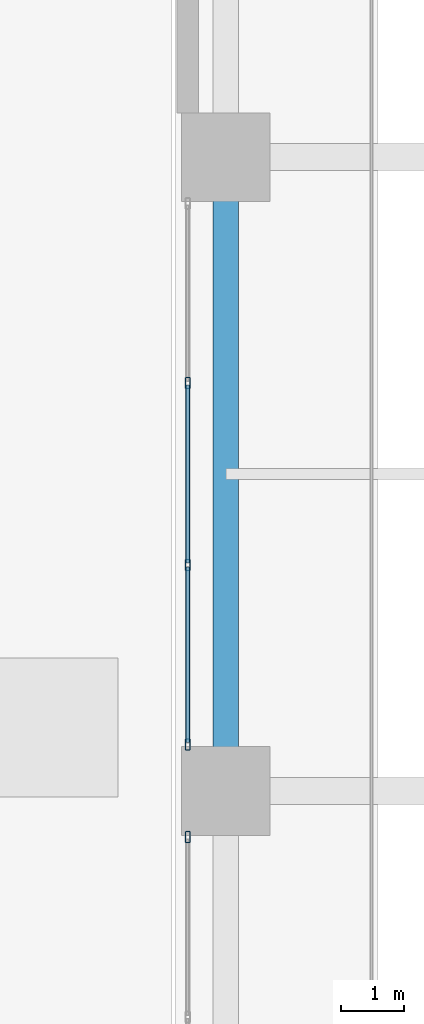
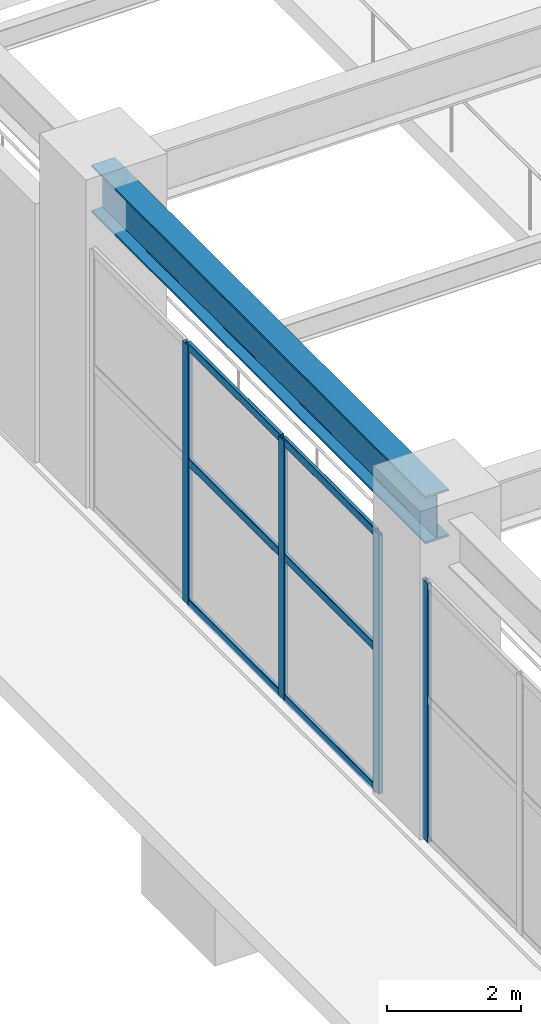
# One storey, part 9 of 31: 10 members, 1 beam, 2 elements without a shape of their own.
"""IFC4 building model written with IfcOpenShell, lengths in metres."""

from ifc_helpers import new_model, si_unit, direction, frame, origin, origin_2d, place, context, subcontext, project, spatial, hollow_rectangle, i_section, extrude, material, layer, layer_set, material_profile, profile_set, type_object, element, aggregate, save


model = new_model("IFC4")

# Units and contexts
model_context = context("Model", 3, precision=1e-05, world=origin(), true_north=direction((0.0, 1.0)))
body_context = subcontext(model_context, "Body", "Model", "MODEL_VIEW")
ifc_project = project(units=[si_unit("LENGTHUNIT", "METRE"), si_unit("AREAUNIT", "SQUARE_METRE"), si_unit("VOLUMEUNIT", "CUBIC_METRE"), si_unit("PLANEANGLEUNIT", "RADIAN"), si_unit("MASSUNIT", "GRAM", prefix="KILO")], contexts=[model_context])

# Site, building, storey
site_placement = place(None, origin())
site = spatial("IfcSite", under=ifc_project, at=site_placement, CompositionType="ELEMENT")
building_placement = place(site_placement, origin())
building = spatial("IfcBuilding", under=site, at=building_placement, Name="Soratama Intermodal Tower", CompositionType="ELEMENT")
storey_placement = place(building_placement, origin())
storey = spatial("IfcBuildingStorey", under=building, at=storey_placement, Name="L00", CompositionType="ELEMENT", Elevation=0.0)

# Beam
ifc_material_1 = material(Name="Structural steel ASTM A992 Grade 50", Category="steel")
ifc_material_profile_1 = material_profile(ifc_material_1, i_section(OverallWidth=0.403076171875, OverallDepth=0.867919921875, WebThickness=0.02099609375, FlangeThickness=0.03564453125, FilletRadius=0.01806640625, at=origin_2d()), Name="W33X241")
ifc_profile_set_1 = profile_set([ifc_material_profile_1], Name="Structural steel ASTM A992 Grade 50")
beam_type = type_object("IfcBeamType", Name="BM-POD-EXT-W33", PredefinedType="BEAM", material=ifc_profile_set_1)
beam_placement = place(storey_placement, frame((0.800048828125, 25.0, 5.24609375), z_axis=(0.0, 1.0, 0.0), x_axis=(-1.0, 0.0, 0.0)))
element("IfcBeam", 1, at=beam_placement, inside=storey, type_object=beam_type, Name="L00 Station Girder Y1-3", PredefinedType="BEAM", context=body_context, shape_type="SweptSolid", body=[
    extrude(i_section(OverallWidth=0.403076171875, OverallDepth=0.867919921875, WebThickness=0.02099609375, FlangeThickness=0.03564453125, FilletRadius=0.01806640625, at=origin_2d()), origin(), (0.0, 0.0, 1.0), 10.0),
])

# Curtain wall, member
ifc_material_2 = material(Name="Double-glazed aluminium curtain wall", Category="aluminium")
ifc_layer = layer(ifc_material_2, 0.159912109375)
ifc_layer_set = layer_set([ifc_layer], Name="Double-glazed aluminium curtain wall")
curtain_wall_type = type_object("IfcCurtainWallType", Name="CW-SYS-1", PredefinedType="NOTDEFINED", material=ifc_layer_set)
curtain_wall_1_placement = place(storey_placement, origin())
curtain_wall_1 = element("IfcCurtainWall", 2, at=curtain_wall_1_placement, inside=storey, type_object=curtain_wall_type, Name="L00 Station Curtain Wall W1", PredefinedType="NOTDEFINED")
ifc_material_3 = material(Name="Anodised aluminium AA 6063-T6", Category="aluminium")
ifc_material_profile_2 = material_profile(ifc_material_3, hollow_rectangle(XDim=0.074951171875, YDim=0.179931640625, WallThickness=0.006103515625, InnerFilletRadius=0.006103515625, OuterFilletRadius=0.011962890625, at=origin_2d()), Name="CWM180X75X6")
ifc_profile_set_2 = profile_set([ifc_material_profile_2], Name="Anodised aluminium AA 6063-T6")
member_type_1 = type_object("IfcMemberType", Name="MT-CWM-1", PredefinedType="MULLION", material=ifc_profile_set_2)
member_1_placement = place(storey_placement, frame((0.199951171875, 24.27001953125, 0.0), z_axis=(0.0, 0.0, 1.0), x_axis=(-1.0, 0.0, 0.0)))
member_1 = element("IfcMember", 3, at=member_1_placement, type_object=member_type_1, Name="CW-1 mullion 4", PredefinedType="MULLION", context=body_context, shape_type="SweptSolid", body=[
    extrude(hollow_rectangle(XDim=0.074951171875, YDim=0.179931640625, WallThickness=0.006103515625, InnerFilletRadius=0.006103515625, OuterFilletRadius=0.011962890625, at=origin_2d()), origin(), (0.0, 0.0, 1.0), 4.736083984375),
])
aggregate(curtain_wall_1, [member_1])

# Curtain wall, members
curtain_wall_2_placement = place(storey_placement, origin())
curtain_wall_2 = element("IfcCurtainWall", 4, at=curtain_wall_2_placement, inside=storey, type_object=curtain_wall_type, Name="L00 Station Curtain Wall W2", PredefinedType="NOTDEFINED")
member_2_placement = place(storey_placement, frame((0.199951171875, 25.72998046875, 0.0), z_axis=(0.0, 0.0, 1.0), x_axis=(-1.0, 0.0, 0.0)))
member_2 = element("IfcMember", 5, at=member_2_placement, type_object=member_type_1, Name="CW-1 mullion 1", PredefinedType="MULLION", context=body_context, shape_type="SweptSolid", body=[
    extrude(hollow_rectangle(XDim=0.074951171875, YDim=0.179931640625, WallThickness=0.006103515625, InnerFilletRadius=0.006103515625, OuterFilletRadius=0.011962890625, at=origin_2d()), origin(), (0.0, 0.0, 1.0), 4.736083984375),
])
member_3_placement = place(storey_placement, frame((0.199951171875, 28.566650390625, 0.0), z_axis=(0.0, 0.0, 1.0), x_axis=(-1.0, 0.0, 0.0)))
member_3 = element("IfcMember", 6, at=member_3_placement, type_object=member_type_1, Name="CW-1 mullion 2", PredefinedType="MULLION", context=body_context, shape_type="SweptSolid", body=[
    extrude(hollow_rectangle(XDim=0.074951171875, YDim=0.179931640625, WallThickness=0.006103515625, InnerFilletRadius=0.006103515625, OuterFilletRadius=0.011962890625, at=origin_2d()), origin(), (0.0, 0.0, 1.0), 4.736083984375),
])
member_4_placement = place(storey_placement, frame((0.199951171875, 31.433349609375, 0.0), z_axis=(0.0, 0.0, 1.0), x_axis=(-1.0, 0.0, 0.0)))
member_4 = element("IfcMember", 7, at=member_4_placement, type_object=member_type_1, Name="CW-1 mullion 3", PredefinedType="MULLION", context=body_context, shape_type="SweptSolid", body=[
    extrude(hollow_rectangle(XDim=0.074951171875, YDim=0.179931640625, WallThickness=0.006103515625, InnerFilletRadius=0.006103515625, OuterFilletRadius=0.011962890625, at=origin_2d()), origin(), (0.0, 0.0, 1.0), 4.736083984375),
])
ifc_material_4 = material(Name="Anodised aluminium AA 6063-T6", Category="aluminium")
ifc_material_profile_3 = material_profile(ifc_material_4, hollow_rectangle(XDim=0.06494140625, YDim=0.14990234375, WallThickness=0.0048828125, InnerFilletRadius=0.0048828125, OuterFilletRadius=0.010009765625, at=origin_2d()), Name="CWT150X65X5")
ifc_profile_set_3 = profile_set([ifc_material_profile_3], Name="Anodised aluminium AA 6063-T6")
member_type_2 = type_object("IfcMemberType", Name="TT-CWT-1", PredefinedType="USERDEFINED", material=ifc_profile_set_3)
member_5_placement = place(storey_placement, frame((0.199951171875, 25.760009765625, 0.030029296875), z_axis=(0.0, 1.0, 0.0), x_axis=(-1.0, 0.0, 0.0)))
member_5 = element("IfcMember", 8, at=member_5_placement, type_object=member_type_2, Name="CW-1 transom 1.1", ObjectType="TRANSOM", PredefinedType="USERDEFINED", context=body_context, shape_type="SweptSolid", body=[
    extrude(hollow_rectangle(XDim=0.06494140625, YDim=0.14990234375, WallThickness=0.0048828125, InnerFilletRadius=0.0048828125, OuterFilletRadius=0.010009765625, at=origin_2d()), origin(), (0.0, 0.0, 1.0), 2.776611328125),
])
member_6_placement = place(storey_placement, frame((0.199951171875, 25.760009765625, 2.60009765625), z_axis=(0.0, 1.0, 0.0), x_axis=(-1.0, 0.0, 0.0)))
member_6 = element("IfcMember", 9, at=member_6_placement, type_object=member_type_2, Name="CW-1 transom 1.2", ObjectType="TRANSOM", PredefinedType="USERDEFINED", context=body_context, shape_type="SweptSolid", body=[
    extrude(hollow_rectangle(XDim=0.06494140625, YDim=0.14990234375, WallThickness=0.0048828125, InnerFilletRadius=0.0048828125, OuterFilletRadius=0.010009765625, at=origin_2d()), origin(), (0.0, 0.0, 1.0), 2.776611328125),
])
member_7_placement = place(storey_placement, frame((0.199951171875, 25.760009765625, 4.7060546875), z_axis=(0.0, 1.0, 0.0), x_axis=(-1.0, 0.0, 0.0)))
member_7 = element("IfcMember", 10, at=member_7_placement, type_object=member_type_2, Name="CW-1 transom 1.3", ObjectType="TRANSOM", PredefinedType="USERDEFINED", context=body_context, shape_type="SweptSolid", body=[
    extrude(hollow_rectangle(XDim=0.06494140625, YDim=0.14990234375, WallThickness=0.0048828125, InnerFilletRadius=0.0048828125, OuterFilletRadius=0.010009765625, at=origin_2d()), origin(), (0.0, 0.0, 1.0), 2.776611328125),
])
member_8_placement = place(storey_placement, frame((0.199951171875, 28.5966796875, 0.030029296875), z_axis=(0.0, 1.0, 0.0), x_axis=(-1.0, 0.0, 0.0)))
member_8 = element("IfcMember", 11, at=member_8_placement, type_object=member_type_2, Name="CW-1 transom 2.1", ObjectType="TRANSOM", PredefinedType="USERDEFINED", context=body_context, shape_type="SweptSolid", body=[
    extrude(hollow_rectangle(XDim=0.06494140625, YDim=0.14990234375, WallThickness=0.0048828125, InnerFilletRadius=0.0048828125, OuterFilletRadius=0.010009765625, at=origin_2d()), origin(), (0.0, 0.0, 1.0), 2.806640625),
])
member_9_placement = place(storey_placement, frame((0.199951171875, 28.5966796875, 2.60009765625), z_axis=(0.0, 1.0, 0.0), x_axis=(-1.0, 0.0, 0.0)))
member_9 = element("IfcMember", 12, at=member_9_placement, type_object=member_type_2, Name="CW-1 transom 2.2", ObjectType="TRANSOM", PredefinedType="USERDEFINED", context=body_context, shape_type="SweptSolid", body=[
    extrude(hollow_rectangle(XDim=0.06494140625, YDim=0.14990234375, WallThickness=0.0048828125, InnerFilletRadius=0.0048828125, OuterFilletRadius=0.010009765625, at=origin_2d()), origin(), (0.0, 0.0, 1.0), 2.806640625),
])
member_10_placement = place(storey_placement, frame((0.199951171875, 28.5966796875, 4.7060546875), z_axis=(0.0, 1.0, 0.0), x_axis=(-1.0, 0.0, 0.0)))
member_10 = element("IfcMember", 13, at=member_10_placement, type_object=member_type_2, Name="CW-1 transom 2.3", ObjectType="TRANSOM", PredefinedType="USERDEFINED", context=body_context, shape_type="SweptSolid", body=[
    extrude(hollow_rectangle(XDim=0.06494140625, YDim=0.14990234375, WallThickness=0.0048828125, InnerFilletRadius=0.0048828125, OuterFilletRadius=0.010009765625, at=origin_2d()), origin(), (0.0, 0.0, 1.0), 2.806640625),
])
aggregate(curtain_wall_2, [member_2, member_3, member_4, member_5, member_6, member_7, member_8, member_9, member_10])

save(model, "model.ifc")
